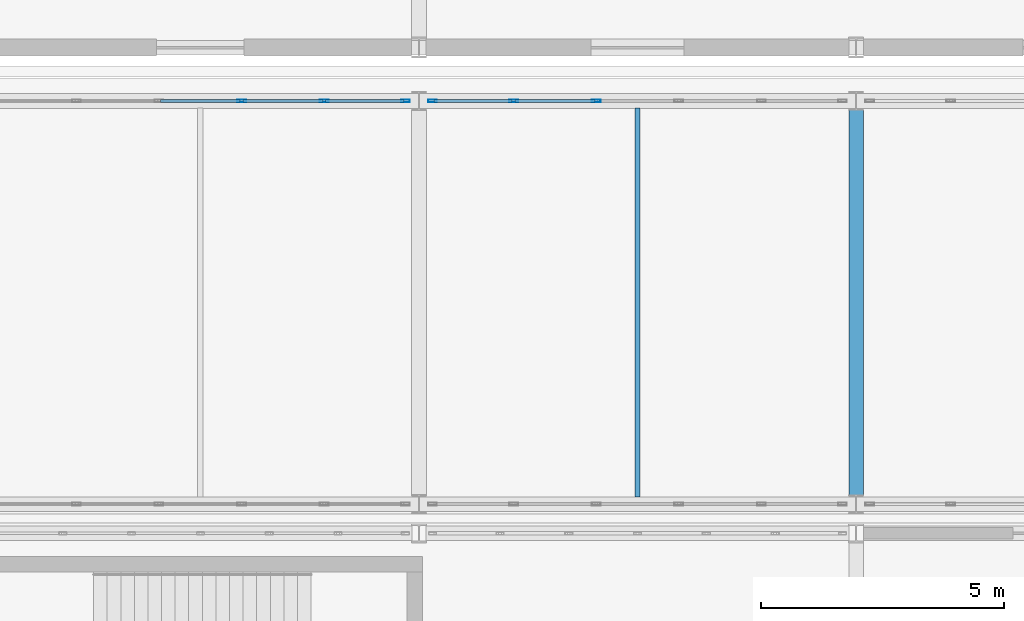
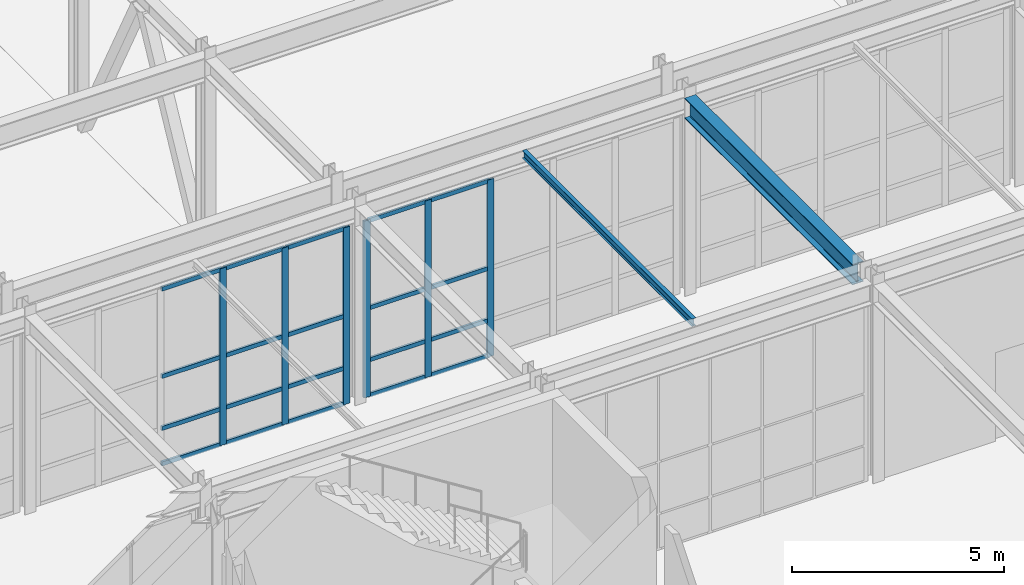
# One storey, part 52 of 146: 26 members, 2 beams, 2 elements without a shape of their own.
"""IFC4 building model written with IfcOpenShell, lengths in metres."""

from ifc_helpers import new_model, si_unit, direction, frame, origin, origin_2d, place, context, subcontext, project, spatial, hollow_rectangle, i_section, extrude, material, material_profile, profile_set, type_object, element, aggregate, save


model = new_model("IFC4")

# Units and contexts
model_context = context("Model", 3, precision=1e-05, world=origin(), true_north=direction((0.0, 1.0)))
body_context = subcontext(model_context, "Body", "Model", "MODEL_VIEW")
ifc_project = project(units=[si_unit("LENGTHUNIT", "METRE"), si_unit("AREAUNIT", "SQUARE_METRE"), si_unit("VOLUMEUNIT", "CUBIC_METRE"), si_unit("PLANEANGLEUNIT", "RADIAN"), si_unit("MASSUNIT", "GRAM", prefix="KILO")], contexts=[model_context])

# Site, building, storey
site_placement = place(None, origin())
site = spatial("IfcSite", under=ifc_project, at=site_placement, CompositionType="ELEMENT")
building_placement = place(site_placement, origin())
building = spatial("IfcBuilding", under=site, at=building_placement, Name="Kaldris Quays Convention Centre", CompositionType="ELEMENT")
storey_placement = place(building_placement, origin())
storey = spatial("IfcBuildingStorey", under=building, at=storey_placement, Name="L00", CompositionType="ELEMENT", Elevation=0.0)

# Curtain wall, members
ifc_material_1 = material(Name="Anodized aluminium AW-6060 and triple glazing", Category="aluminium")
curtain_wall_type = type_object("IfcCurtainWallType", Name="UNITISED CURTAIN WALL CW02", PredefinedType="NOTDEFINED", material=ifc_material_1)
curtain_wall_1_placement = place(storey_placement, origin())
curtain_wall_1 = element("IfcCurtainWall", 1, at=curtain_wall_1_placement, inside=storey, type_object=curtain_wall_type, Name="L00 Unitised Curtain Wall CW02 83", PredefinedType="NOTDEFINED")
ifc_material_2 = material(Name="Anodized aluminium AW-6060", Category="aluminium")
ifc_material_profile_1 = material_profile(ifc_material_2, hollow_rectangle(XDim=0.06005859375, YDim=0.179931640625, WallThickness=0.0048828125, at=origin_2d()), Name="RHS 180x60x5")
ifc_profile_set_1 = profile_set([ifc_material_profile_1], Name="Anodized aluminium AW-6060")
member_type_1 = type_object("IfcMemberType", Name="CURTAIN MULLION CWM2", PredefinedType="MULLION", material=ifc_profile_set_1)
member_1_placement = place(storey_placement, frame((52.35009765625, 54.89990234375, 0.0), z_axis=(0.0, 0.0, 1.0), x_axis=(0.0, 1.0, 0.0)))
member_1 = element("IfcMember", 2, at=member_1_placement, type_object=member_type_1, Name="CW02 mullion 4", PredefinedType="MULLION", context=body_context, shape_type="SweptSolid", body=[
    extrude(hollow_rectangle(XDim=0.06005859375, YDim=0.179931640625, WallThickness=0.0048828125, at=origin_2d()), origin(), (0.0, 0.0, 1.0), 5.10009765625),
])
member_2_placement = place(storey_placement, frame((54.050048828125, 54.89990234375, 0.0), z_axis=(0.0, 0.0, 1.0), x_axis=(0.0, 1.0, 0.0)))
member_2 = element("IfcMember", 3, at=member_2_placement, type_object=member_type_1, Name="CW02 mullion 5", PredefinedType="MULLION", context=body_context, shape_type="SweptSolid", body=[
    extrude(hollow_rectangle(XDim=0.06005859375, YDim=0.179931640625, WallThickness=0.0048828125, at=origin_2d()), origin(), (0.0, 0.0, 1.0), 5.10009765625),
])
member_3_placement = place(storey_placement, frame((55.719970703125, 54.89990234375, 0.0), z_axis=(0.0, 0.0, 1.0), x_axis=(0.0, 1.0, 0.0)))
member_3 = element("IfcMember", 4, at=member_3_placement, type_object=member_type_1, Name="CW02 mullion 6", PredefinedType="MULLION", context=body_context, shape_type="SweptSolid", body=[
    extrude(hollow_rectangle(XDim=0.06005859375, YDim=0.179931640625, WallThickness=0.0048828125, at=origin_2d()), origin(), (0.0, 0.0, 1.0), 5.10009765625),
])

curtain_wall_2_placement = place(storey_placement, origin())
curtain_wall_2 = element("IfcCurtainWall", 5, at=curtain_wall_2_placement, inside=storey, type_object=curtain_wall_type, Name="L00 Unitised Curtain Wall CW02 85", PredefinedType="NOTDEFINED")
member_4_placement = place(storey_placement, frame((56.280029296875, 54.89990234375, 0.0), z_axis=(0.0, 0.0, 1.0), x_axis=(0.0, 1.0, 0.0)))
member_4 = element("IfcMember", 6, at=member_4_placement, type_object=member_type_1, Name="CW02 mullion 1", PredefinedType="MULLION", context=body_context, shape_type="SweptSolid", body=[
    extrude(hollow_rectangle(XDim=0.06005859375, YDim=0.179931640625, WallThickness=0.0048828125, at=origin_2d()), origin(), (0.0, 0.0, 1.0), 5.10009765625),
])
member_5_placement = place(storey_placement, frame((57.949951171875, 54.89990234375, 0.0), z_axis=(0.0, 0.0, 1.0), x_axis=(0.0, 1.0, 0.0)))
member_5 = element("IfcMember", 7, at=member_5_placement, type_object=member_type_1, Name="CW02 mullion 2", PredefinedType="MULLION", context=body_context, shape_type="SweptSolid", body=[
    extrude(hollow_rectangle(XDim=0.06005859375, YDim=0.179931640625, WallThickness=0.0048828125, at=origin_2d()), origin(), (0.0, 0.0, 1.0), 5.10009765625),
])
member_6_placement = place(storey_placement, frame((59.64990234375, 54.89990234375, 0.0), z_axis=(0.0, 0.0, 1.0), x_axis=(0.0, 1.0, 0.0)))
member_6 = element("IfcMember", 8, at=member_6_placement, type_object=member_type_1, Name="CW02 mullion 3", PredefinedType="MULLION", context=body_context, shape_type="SweptSolid", body=[
    extrude(hollow_rectangle(XDim=0.06005859375, YDim=0.179931640625, WallThickness=0.0048828125, at=origin_2d()), origin(), (0.0, 0.0, 1.0), 5.10009765625),
])

# Member
ifc_material_profile_2 = material_profile(ifc_material_2, hollow_rectangle(XDim=0.06005859375, YDim=0.1201171875, WallThickness=0.00390625, at=origin_2d()), Name="RHS 120x60x4")
ifc_profile_set_2 = profile_set([ifc_material_profile_2], Name="Anodized aluminium AW-6060")
member_type_2 = type_object("IfcMemberType", Name="CURTAIN TRANSOM CWT1", PredefinedType="USERDEFINED", material=ifc_profile_set_2)
member_7_placement = place(storey_placement, frame((50.679931640625, 54.89990234375, 0.030029296875), z_axis=(1.0, 0.0, 0.0), x_axis=(0.0, 1.0, 0.0)))
member_7 = element("IfcMember", 9, at=member_7_placement, type_object=member_type_2, Name="CW02 transom 3.1", ObjectType="TRANSOM", PredefinedType="USERDEFINED", context=body_context, shape_type="SweptSolid", body=[
    extrude(hollow_rectangle(XDim=0.06005859375, YDim=0.1201171875, WallThickness=0.00390625, at=origin_2d()), origin(), (0.0, 0.0, 1.0), 1.64013671875),
])

member_8_placement = place(storey_placement, frame((50.679931640625, 54.89990234375, 1.050048828125), z_axis=(1.0, 0.0, 0.0), x_axis=(0.0, 1.0, 0.0)))
member_8 = element("IfcMember", 10, at=member_8_placement, type_object=member_type_2, Name="CW02 transom 3.2", ObjectType="TRANSOM", PredefinedType="USERDEFINED", context=body_context, shape_type="SweptSolid", body=[
    extrude(hollow_rectangle(XDim=0.06005859375, YDim=0.1201171875, WallThickness=0.00390625, at=origin_2d()), origin(), (0.0, 0.0, 1.0), 1.64013671875),
])

member_9_placement = place(storey_placement, frame((50.679931640625, 54.89990234375, 2.550048828125), z_axis=(1.0, 0.0, 0.0), x_axis=(0.0, 1.0, 0.0)))
member_9 = element("IfcMember", 11, at=member_9_placement, type_object=member_type_2, Name="CW02 transom 3.3", ObjectType="TRANSOM", PredefinedType="USERDEFINED", context=body_context, shape_type="SweptSolid", body=[
    extrude(hollow_rectangle(XDim=0.06005859375, YDim=0.1201171875, WallThickness=0.00390625, at=origin_2d()), origin(), (0.0, 0.0, 1.0), 1.64013671875),
])

member_10_placement = place(storey_placement, frame((50.679931640625, 54.89990234375, 5.070068359375), z_axis=(1.0, 0.0, 0.0), x_axis=(0.0, 1.0, 0.0)))
member_10 = element("IfcMember", 12, at=member_10_placement, type_object=member_type_2, Name="CW02 transom 3.4", ObjectType="TRANSOM", PredefinedType="USERDEFINED", context=body_context, shape_type="SweptSolid", body=[
    extrude(hollow_rectangle(XDim=0.06005859375, YDim=0.1201171875, WallThickness=0.00390625, at=origin_2d()), origin(), (0.0, 0.0, 1.0), 1.64013671875),
])

member_11_placement = place(storey_placement, frame((52.3798828125, 54.89990234375, 0.030029296875), z_axis=(1.0, 0.0, 0.0), x_axis=(0.0, 1.0, 0.0)))
member_11 = element("IfcMember", 13, at=member_11_placement, type_object=member_type_2, Name="CW02 transom 4.1", ObjectType="TRANSOM", PredefinedType="USERDEFINED", context=body_context, shape_type="SweptSolid", body=[
    extrude(hollow_rectangle(XDim=0.06005859375, YDim=0.1201171875, WallThickness=0.00390625, at=origin_2d()), origin(), (0.0, 0.0, 1.0), 1.64013671875),
])

member_12_placement = place(storey_placement, frame((52.3798828125, 54.89990234375, 1.050048828125), z_axis=(1.0, 0.0, 0.0), x_axis=(0.0, 1.0, 0.0)))
member_12 = element("IfcMember", 14, at=member_12_placement, type_object=member_type_2, Name="CW02 transom 4.2", ObjectType="TRANSOM", PredefinedType="USERDEFINED", context=body_context, shape_type="SweptSolid", body=[
    extrude(hollow_rectangle(XDim=0.06005859375, YDim=0.1201171875, WallThickness=0.00390625, at=origin_2d()), origin(), (0.0, 0.0, 1.0), 1.64013671875),
])

member_13_placement = place(storey_placement, frame((52.3798828125, 54.89990234375, 2.550048828125), z_axis=(1.0, 0.0, 0.0), x_axis=(0.0, 1.0, 0.0)))
member_13 = element("IfcMember", 15, at=member_13_placement, type_object=member_type_2, Name="CW02 transom 4.3", ObjectType="TRANSOM", PredefinedType="USERDEFINED", context=body_context, shape_type="SweptSolid", body=[
    extrude(hollow_rectangle(XDim=0.06005859375, YDim=0.1201171875, WallThickness=0.00390625, at=origin_2d()), origin(), (0.0, 0.0, 1.0), 1.64013671875),
])

member_14_placement = place(storey_placement, frame((52.3798828125, 54.89990234375, 5.070068359375), z_axis=(1.0, 0.0, 0.0), x_axis=(0.0, 1.0, 0.0)))
member_14 = element("IfcMember", 16, at=member_14_placement, type_object=member_type_2, Name="CW02 transom 4.4", ObjectType="TRANSOM", PredefinedType="USERDEFINED", context=body_context, shape_type="SweptSolid", body=[
    extrude(hollow_rectangle(XDim=0.06005859375, YDim=0.1201171875, WallThickness=0.00390625, at=origin_2d()), origin(), (0.0, 0.0, 1.0), 1.64013671875),
])

member_15_placement = place(storey_placement, frame((54.080078125, 54.89990234375, 0.030029296875), z_axis=(1.0, 0.0, 0.0), x_axis=(0.0, 1.0, 0.0)))
member_15 = element("IfcMember", 17, at=member_15_placement, type_object=member_type_2, Name="CW02 transom 5.1", ObjectType="TRANSOM", PredefinedType="USERDEFINED", context=body_context, shape_type="SweptSolid", body=[
    extrude(hollow_rectangle(XDim=0.06005859375, YDim=0.1201171875, WallThickness=0.00390625, at=origin_2d()), origin(), (0.0, 0.0, 1.0), 1.60986328125),
])

member_16_placement = place(storey_placement, frame((54.080078125, 54.89990234375, 1.050048828125), z_axis=(1.0, 0.0, 0.0), x_axis=(0.0, 1.0, 0.0)))
member_16 = element("IfcMember", 18, at=member_16_placement, type_object=member_type_2, Name="CW02 transom 5.2", ObjectType="TRANSOM", PredefinedType="USERDEFINED", context=body_context, shape_type="SweptSolid", body=[
    extrude(hollow_rectangle(XDim=0.06005859375, YDim=0.1201171875, WallThickness=0.00390625, at=origin_2d()), origin(), (0.0, 0.0, 1.0), 1.60986328125),
])

member_17_placement = place(storey_placement, frame((54.080078125, 54.89990234375, 2.550048828125), z_axis=(1.0, 0.0, 0.0), x_axis=(0.0, 1.0, 0.0)))
member_17 = element("IfcMember", 19, at=member_17_placement, type_object=member_type_2, Name="CW02 transom 5.3", ObjectType="TRANSOM", PredefinedType="USERDEFINED", context=body_context, shape_type="SweptSolid", body=[
    extrude(hollow_rectangle(XDim=0.06005859375, YDim=0.1201171875, WallThickness=0.00390625, at=origin_2d()), origin(), (0.0, 0.0, 1.0), 1.60986328125),
])

member_18_placement = place(storey_placement, frame((54.080078125, 54.89990234375, 5.070068359375), z_axis=(1.0, 0.0, 0.0), x_axis=(0.0, 1.0, 0.0)))
member_18 = element("IfcMember", 20, at=member_18_placement, type_object=member_type_2, Name="CW02 transom 5.4", ObjectType="TRANSOM", PredefinedType="USERDEFINED", context=body_context, shape_type="SweptSolid", body=[
    extrude(hollow_rectangle(XDim=0.06005859375, YDim=0.1201171875, WallThickness=0.00390625, at=origin_2d()), origin(), (0.0, 0.0, 1.0), 1.60986328125),
])

aggregate(curtain_wall_1, [member_1, member_2, member_3, member_7, member_8, member_9, member_10, member_11, member_12, member_13, member_14, member_15, member_16, member_17, member_18])

member_19_placement = place(storey_placement, frame((56.31005859375, 54.89990234375, 0.030029296875), z_axis=(1.0, 0.0, 0.0), x_axis=(0.0, 1.0, 0.0)))
member_19 = element("IfcMember", 21, at=member_19_placement, type_object=member_type_2, Name="CW02 transom 1.1", ObjectType="TRANSOM", PredefinedType="USERDEFINED", context=body_context, shape_type="SweptSolid", body=[
    extrude(hollow_rectangle(XDim=0.06005859375, YDim=0.1201171875, WallThickness=0.00390625, at=origin_2d()), origin(), (0.0, 0.0, 1.0), 1.60986328125),
])

member_20_placement = place(storey_placement, frame((56.31005859375, 54.89990234375, 1.050048828125), z_axis=(1.0, 0.0, 0.0), x_axis=(0.0, 1.0, 0.0)))
member_20 = element("IfcMember", 22, at=member_20_placement, type_object=member_type_2, Name="CW02 transom 1.2", ObjectType="TRANSOM", PredefinedType="USERDEFINED", context=body_context, shape_type="SweptSolid", body=[
    extrude(hollow_rectangle(XDim=0.06005859375, YDim=0.1201171875, WallThickness=0.00390625, at=origin_2d()), origin(), (0.0, 0.0, 1.0), 1.60986328125),
])

member_21_placement = place(storey_placement, frame((56.31005859375, 54.89990234375, 2.550048828125), z_axis=(1.0, 0.0, 0.0), x_axis=(0.0, 1.0, 0.0)))
member_21 = element("IfcMember", 23, at=member_21_placement, type_object=member_type_2, Name="CW02 transom 1.3", ObjectType="TRANSOM", PredefinedType="USERDEFINED", context=body_context, shape_type="SweptSolid", body=[
    extrude(hollow_rectangle(XDim=0.06005859375, YDim=0.1201171875, WallThickness=0.00390625, at=origin_2d()), origin(), (0.0, 0.0, 1.0), 1.60986328125),
])

member_22_placement = place(storey_placement, frame((56.31005859375, 54.89990234375, 5.070068359375), z_axis=(1.0, 0.0, 0.0), x_axis=(0.0, 1.0, 0.0)))
member_22 = element("IfcMember", 24, at=member_22_placement, type_object=member_type_2, Name="CW02 transom 1.4", ObjectType="TRANSOM", PredefinedType="USERDEFINED", context=body_context, shape_type="SweptSolid", body=[
    extrude(hollow_rectangle(XDim=0.06005859375, YDim=0.1201171875, WallThickness=0.00390625, at=origin_2d()), origin(), (0.0, 0.0, 1.0), 1.60986328125),
])

member_23_placement = place(storey_placement, frame((57.97998046875, 54.89990234375, 0.030029296875), z_axis=(1.0, 0.0, 0.0), x_axis=(0.0, 1.0, 0.0)))
member_23 = element("IfcMember", 25, at=member_23_placement, type_object=member_type_2, Name="CW02 transom 2.1", ObjectType="TRANSOM", PredefinedType="USERDEFINED", context=body_context, shape_type="SweptSolid", body=[
    extrude(hollow_rectangle(XDim=0.06005859375, YDim=0.1201171875, WallThickness=0.00390625, at=origin_2d()), origin(), (0.0, 0.0, 1.0), 1.64013671875),
])

member_24_placement = place(storey_placement, frame((57.97998046875, 54.89990234375, 1.050048828125), z_axis=(1.0, 0.0, 0.0), x_axis=(0.0, 1.0, 0.0)))
member_24 = element("IfcMember", 26, at=member_24_placement, type_object=member_type_2, Name="CW02 transom 2.2", ObjectType="TRANSOM", PredefinedType="USERDEFINED", context=body_context, shape_type="SweptSolid", body=[
    extrude(hollow_rectangle(XDim=0.06005859375, YDim=0.1201171875, WallThickness=0.00390625, at=origin_2d()), origin(), (0.0, 0.0, 1.0), 1.64013671875),
])

member_25_placement = place(storey_placement, frame((57.97998046875, 54.89990234375, 2.550048828125), z_axis=(1.0, 0.0, 0.0), x_axis=(0.0, 1.0, 0.0)))
member_25 = element("IfcMember", 27, at=member_25_placement, type_object=member_type_2, Name="CW02 transom 2.3", ObjectType="TRANSOM", PredefinedType="USERDEFINED", context=body_context, shape_type="SweptSolid", body=[
    extrude(hollow_rectangle(XDim=0.06005859375, YDim=0.1201171875, WallThickness=0.00390625, at=origin_2d()), origin(), (0.0, 0.0, 1.0), 1.64013671875),
])

member_26_placement = place(storey_placement, frame((57.97998046875, 54.89990234375, 5.070068359375), z_axis=(1.0, 0.0, 0.0), x_axis=(0.0, 1.0, 0.0)))
member_26 = element("IfcMember", 28, at=member_26_placement, type_object=member_type_2, Name="CW02 transom 2.4", ObjectType="TRANSOM", PredefinedType="USERDEFINED", context=body_context, shape_type="SweptSolid", body=[
    extrude(hollow_rectangle(XDim=0.06005859375, YDim=0.1201171875, WallThickness=0.00390625, at=origin_2d()), origin(), (0.0, 0.0, 1.0), 1.64013671875),
])

aggregate(curtain_wall_2, [member_4, member_5, member_6, member_19, member_20, member_21, member_22, member_23, member_24, member_25, member_26])

# Beams
ifc_material_3 = material(Name="Steel S355J2", Category="steel")
ifc_material_profile_3 = material_profile(ifc_material_3, i_section(OverallWidth=0.300048828125, OverallDepth=0.590087890625, WebThickness=0.012939453125, FlangeThickness=0.02490234375, FilletRadius=0.027099609375, at=origin_2d()), Name="HEA 600")
ifc_profile_set_3 = profile_set([ifc_material_profile_3], Name="Steel S355J2")
beam_type_1 = type_object("IfcBeamType", Name="STRUCTURAL BEAM BM08", PredefinedType="BEAM", material=ifc_profile_set_3)
beam_1_placement = place(storey_placement, frame((65.0, 46.7890625, 5.427978515625), z_axis=(0.0, 1.0, 0.0), x_axis=(-1.0, 0.0, 0.0)))
element("IfcBeam", 29, at=beam_1_placement, inside=storey, type_object=beam_type_1, Name="L00 Girder BM08 17", PredefinedType="BEAM", context=body_context, shape_type="SweptSolid", body=[
    extrude(i_section(OverallWidth=0.300048828125, OverallDepth=0.590087890625, WebThickness=0.012939453125, FlangeThickness=0.02490234375, FilletRadius=0.027099609375, at=origin_2d()), origin(), (0.0, 0.0, 1.0), 7.921875),
])
ifc_material_profile_4 = material_profile(ifc_material_3, i_section(OverallWidth=0.110107421875, OverallDepth=0.219970703125, WebThickness=0.005859375, FlangeThickness=0.00927734375, FilletRadius=0.011962890625, at=origin_2d()), Name="IPE 220")
ifc_profile_set_4 = profile_set([ifc_material_profile_4], Name="Steel S355J2")
beam_type_2 = type_object("IfcBeamType", Name="STRUCTURAL BEAM JT08", PredefinedType="JOIST", material=ifc_profile_set_4)
beam_2_placement = place(storey_placement, frame((60.5, 46.743896484375, 5.613037109375), z_axis=(0.0, 1.0, 0.0), x_axis=(-1.0, 0.0, 0.0)))
element("IfcBeam", 30, at=beam_2_placement, inside=storey, type_object=beam_type_2, Name="L00 Secondary Joist JT08 4", PredefinedType="JOIST", context=body_context, shape_type="SweptSolid", body=[
    extrude(i_section(OverallWidth=0.110107421875, OverallDepth=0.219970703125, WebThickness=0.005859375, FlangeThickness=0.00927734375, FilletRadius=0.011962890625, at=origin_2d()), origin(), (0.0, 0.0, 1.0), 8.01220703125),
])

save(model, "model.ifc")
